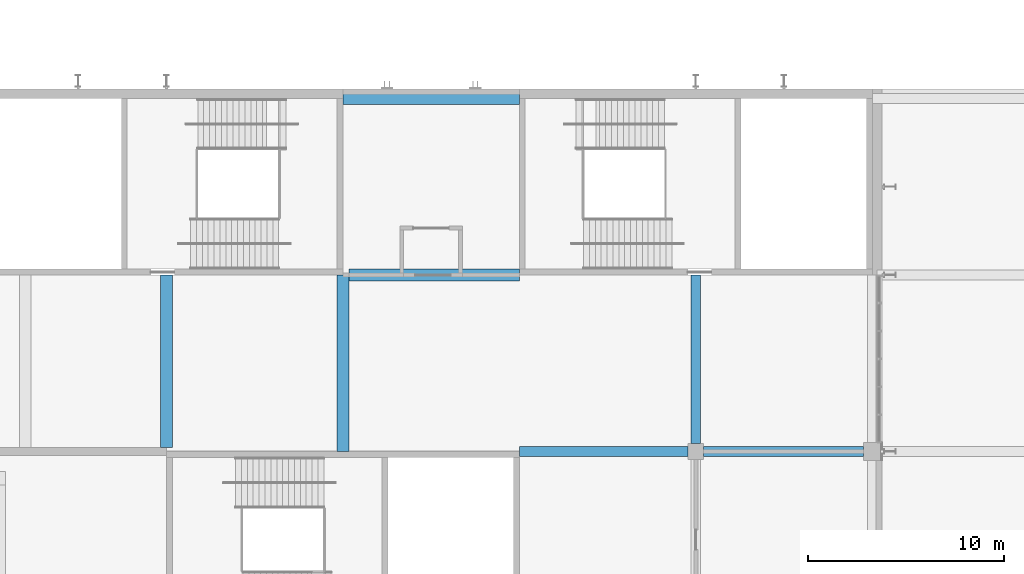
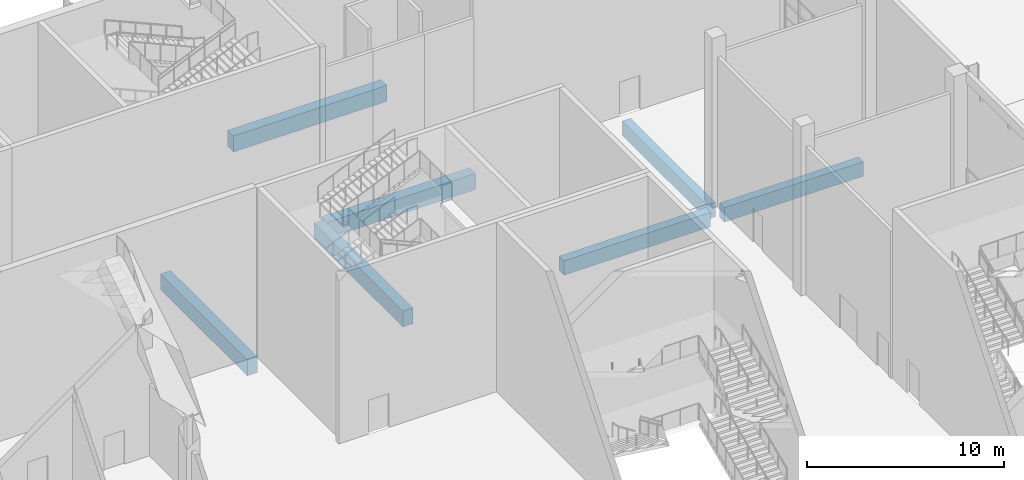
# One storey, part 62 of 182: 7 beams.
"""IFC4 building model written with IfcOpenShell, lengths in metres."""

from ifc_helpers import new_model, si_unit, direction, frame, origin, origin_2d, place, context, subcontext, project, spatial, rectangle, extrude, material, material_profile, profile_set, type_object, element, save


model = new_model("IFC4")

# Units and contexts
model_context = context("Model", 3, precision=1e-05, world=origin(), true_north=direction((0.0, 1.0)))
body_context = subcontext(model_context, "Body", "Model", "MODEL_VIEW")
ifc_project = project(units=[si_unit("LENGTHUNIT", "METRE"), si_unit("AREAUNIT", "SQUARE_METRE"), si_unit("VOLUMEUNIT", "CUBIC_METRE"), si_unit("PLANEANGLEUNIT", "RADIAN"), si_unit("MASSUNIT", "GRAM", prefix="KILO")], contexts=[model_context])

# Site, building, storey
site_placement = place(None, origin())
site = spatial("IfcSite", under=ifc_project, at=site_placement, CompositionType="ELEMENT")
building_placement = place(site_placement, origin())
building = spatial("IfcBuilding", under=site, at=building_placement, Name="Silverbay Arena", CompositionType="ELEMENT")
storey_placement = place(building_placement, frame((0.0, 0.0, 11.5)))
storey = spatial("IfcBuildingStorey", under=building, at=storey_placement, Name="L02", CompositionType="ELEMENT", Elevation=11.5)

# Beams
ifc_material_1 = material(Name="Concrete Grade C45", Category="concrete")
ifc_material_profile_1 = material_profile(ifc_material_1, rectangle(XDim=0.5, YDim=0.89990234375, at=origin_2d()), Name="RC 500x900")
ifc_profile_set_1 = profile_set([ifc_material_profile_1], Name="Concrete Grade C45")
beam_type_1 = type_object("IfcBeamType", Name="RC beam 500x900", PredefinedType="BEAM", material=ifc_profile_set_1)
beam_1_placement = place(storey_placement, frame((189.0, 126.0, -0.800048828125), z_axis=(1.0, 0.0, 0.0), x_axis=(0.0, 1.0, 0.0)))
element("IfcBeam", 1, at=beam_1_placement, inside=storey, type_object=beam_type_1, Name="Floor beam L02 159", PredefinedType="BEAM", context=body_context, shape_type="SweptSolid", body=[
    extrude(rectangle(XDim=0.5, YDim=0.89990234375, at=origin_2d()), origin(), (0.0, 0.0, 1.0), 8.60009765625),
])
beam_2_placement = place(storey_placement, frame((198.39990234375, 126.0, -0.800048828125), z_axis=(1.0, 0.0, 0.0), x_axis=(0.0, 1.0, 0.0)))
element("IfcBeam", 2, at=beam_2_placement, inside=storey, type_object=beam_type_1, Name="Floor beam L02 160", PredefinedType="BEAM", context=body_context, shape_type="SweptSolid", body=[
    extrude(rectangle(XDim=0.5, YDim=0.89990234375, at=origin_2d()), origin(), (0.0, 0.0, 1.0), 8.150146484375),
])
beam_3_placement = place(storey_placement, frame((198.0, 126.39990234375, -0.800048828125), z_axis=(0.0, 1.0, 0.0), x_axis=(-1.0, 0.0, 0.0)))
element("IfcBeam", 3, at=beam_3_placement, inside=storey, type_object=beam_type_1, Name="Floor beam L02 322", PredefinedType="BEAM", context=body_context, shape_type="SweptSolid", body=[
    extrude(rectangle(XDim=0.5, YDim=0.89990234375, at=origin_2d()), origin(), (0.0, 0.0, 1.0), 8.60009765625),
])
ifc_material_2 = material(Name="Concrete Grade C45", Category="concrete")
ifc_material_profile_2 = material_profile(ifc_material_2, rectangle(XDim=0.60009765625, YDim=1.0, at=origin_2d()), Name="RC 600x1000")
ifc_profile_set_2 = profile_set([ifc_material_profile_2], Name="Concrete Grade C45")
beam_type_2 = type_object("IfcBeamType", Name="RC beam 600x1000", PredefinedType="BEAM", material=ifc_profile_set_2)
beam_4_placement = place(storey_placement, frame((180.300048828125, 135.0, -0.85009765625), z_axis=(1.0, 0.0, 0.0), x_axis=(0.0, 1.0, 0.0)))
element("IfcBeam", 4, at=beam_4_placement, inside=storey, type_object=beam_type_2, Name="Floor beam L02 169", PredefinedType="BEAM", context=body_context, shape_type="SweptSolid", body=[
    extrude(rectangle(XDim=0.60009765625, YDim=1.0, at=origin_2d()), origin(), (0.0, 0.0, 1.0), 8.699951171875),
])
beam_5_placement = place(storey_placement, frame((180.0, 144.0, -0.85009765625), z_axis=(1.0, 0.0, 0.0), x_axis=(0.0, 1.0, 0.0)))
element("IfcBeam", 5, at=beam_5_placement, inside=storey, type_object=beam_type_2, Name="Floor beam L02 178", PredefinedType="BEAM", context=body_context, shape_type="SweptSolid", body=[
    extrude(rectangle(XDim=0.60009765625, YDim=1.0, at=origin_2d()), origin(), (0.0, 0.0, 1.0), 9.0),
])
beam_6_placement = place(storey_placement, frame((171.0, 126.199951171875, -0.85009765625), z_axis=(0.0, 1.0, 0.0), x_axis=(-1.0, 0.0, 0.0)))
element("IfcBeam", 6, at=beam_6_placement, inside=storey, type_object=beam_type_2, Name="Floor beam L02 308", PredefinedType="BEAM", context=body_context, shape_type="SweptSolid", body=[
    extrude(rectangle(XDim=0.60009765625, YDim=1.0, at=origin_2d()), origin(), (0.0, 0.0, 1.0), 8.800048828125),
])
beam_7_placement = place(storey_placement, frame((180.0, 126.0, -0.85009765625), z_axis=(0.0, 1.0, 0.0), x_axis=(-1.0, 0.0, 0.0)))
element("IfcBeam", 7, at=beam_7_placement, inside=storey, type_object=beam_type_2, Name="Floor beam L02 314", PredefinedType="BEAM", context=body_context, shape_type="SweptSolid", body=[
    extrude(rectangle(XDim=0.60009765625, YDim=1.0, at=origin_2d()), origin(), (0.0, 0.0, 1.0), 9.0),
])

save(model, "model.ifc")
